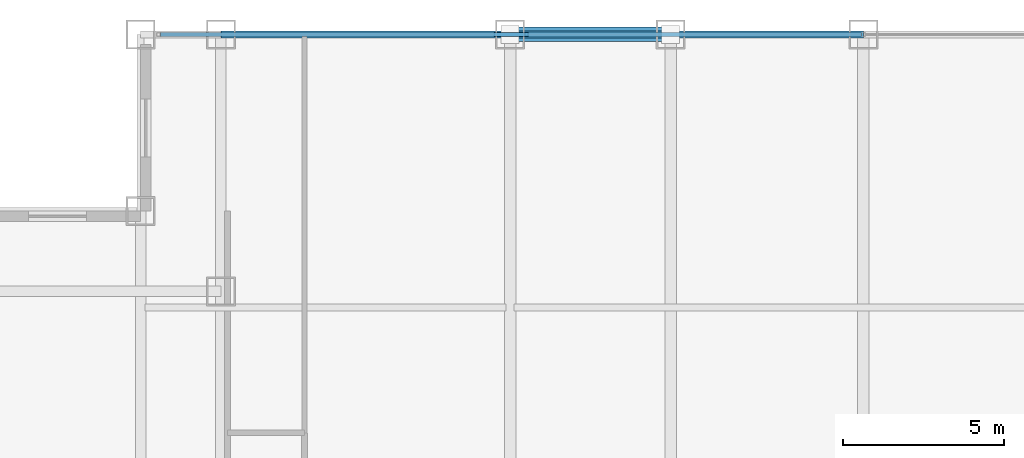
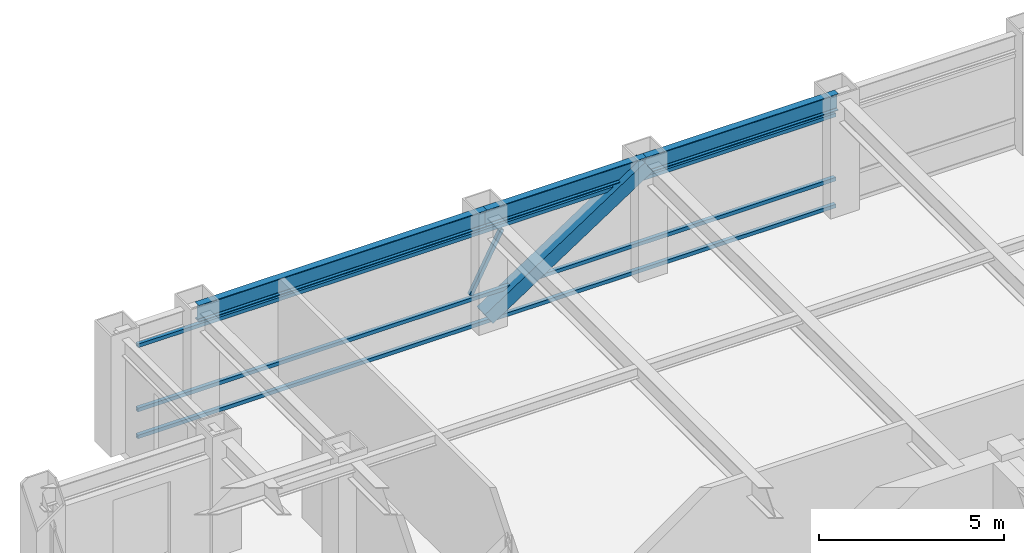
# One storey, part 13 of 22: 5 members, 3 beams, 1 element without a shape of its own.
"""IFC4 building model written with IfcOpenShell, lengths in metres."""

from ifc_helpers import new_model, si_unit, direction, frame, origin, origin_2d, place, context, subcontext, project, spatial, hollow_rectangle, i_section, extrude, source, transform, mapped, material, material_profile, profile_set, type_object, element, aggregate, save


model = new_model("IFC4")

# Units and contexts
model_context = context("Model", 3, precision=1e-05, world=origin(), true_north=direction((0.0, 1.0)))
body_context = subcontext(model_context, "Body", "Model", "MODEL_VIEW")
ifc_project = project(units=[si_unit("LENGTHUNIT", "METRE"), si_unit("AREAUNIT", "SQUARE_METRE"), si_unit("VOLUMEUNIT", "CUBIC_METRE"), si_unit("PLANEANGLEUNIT", "RADIAN"), si_unit("MASSUNIT", "GRAM", prefix="KILO")], contexts=[model_context])

# Site, building, storey
site_placement = place(None, origin())
site = spatial("IfcSite", under=ifc_project, at=site_placement, CompositionType="ELEMENT")
building_placement = place(site_placement, origin())
building = spatial("IfcBuilding", under=site, at=building_placement, Name="Khorayat Bourse Tower", CompositionType="ELEMENT")
storey_placement = place(building_placement, frame((0.0, 0.0, 297.5)))
storey = spatial("IfcBuildingStorey", under=building, at=storey_placement, Name="L70", CompositionType="ELEMENT", Elevation=297.5)

# Member
ifc_material_1 = material(Name="Steel EN 10025-4 S460M", Category="steel")
ifc_material_profile_1 = material_profile(ifc_material_1, hollow_rectangle(XDim=0.449951171875, YDim=0.449951171875, WallThickness=0.02490234375, at=origin_2d()), Name="HSS 450x450x25")
ifc_profile_set_1 = profile_set([ifc_material_profile_1], Name="Steel EN 10025-4 S460M")
member_type_1 = type_object("IfcMemberType", Name="MBR-TUBE-450", PredefinedType="BRACE", material=ifc_profile_set_1)
shared_shape_1 = source(origin(), body_context, "Body", "SweptSolid", [
    extrude(hollow_rectangle(XDim=0.449951171875, YDim=0.449951171875, WallThickness=0.02490234375, at=origin_2d()), origin(), (0.0, 0.0, 1.0), 5.979736328125),
])
member_1_placement = place(storey_placement, frame((-11.0, 28.0, 0.25), z_axis=(0.836141536525, 0.0, 0.548513747227), x_axis=(0.0, 1.0, 0.0)))
element("IfcMember", 1, at=member_1_placement, inside=storey, type_object=member_type_1, Name="L70 Perimeter Tube Brace 03", PredefinedType="BRACE", context=body_context, shape_type="MappedRepresentation", body=[
    mapped(shared_shape_1, transform((0.0, 0.0, 0.0), scale=1.0)),
])

# Beams
ifc_material_2 = material(Name="Steel ASTM A992 Grade 50", Category="steel")
ifc_material_profile_2 = material_profile(ifc_material_2, i_section(OverallWidth=0.214111328125, OverallDepth=0.549072265625, WebThickness=0.0146484375, FlangeThickness=0.023681640625, FilletRadius=0.013916015625, at=origin_2d()), Name="W530X138")
ifc_profile_set_2 = profile_set([ifc_material_profile_2], Name="Steel ASTM A992 Grade 50")
beam_type = type_object("IfcBeamType", Name="BM-SPAN-530", PredefinedType="SPANDREL", material=ifc_profile_set_2)
shared_shape_2 = source(origin(), body_context, "Body", "SweptSolid", [
    extrude(i_section(OverallWidth=0.214111328125, OverallDepth=0.549072265625, WebThickness=0.0146484375, FlangeThickness=0.023681640625, FilletRadius=0.013916015625, at=origin_2d()), origin(), (0.0, 0.0, 1.0), 9.0),
])
beam_1_placement = place(storey_placement, frame((-20.0, 28.0, 3.505615234375), z_axis=(1.0, 0.0, 0.0), x_axis=(0.0, 1.0, 0.0)))
element("IfcBeam", 2, at=beam_1_placement, inside=storey, type_object=beam_type, Name="L70 BM-SPAN-530 BM-L70-SPN-050", PredefinedType="SPANDREL", context=body_context, shape_type="MappedRepresentation", body=[
    mapped(shared_shape_2, transform((0.0, 0.0, 0.0), scale=1.0)),
])
shared_shape_3 = source(origin(), body_context, "Body", "SweptSolid", [
    extrude(i_section(OverallWidth=0.214111328125, OverallDepth=0.549072265625, WebThickness=0.0146484375, FlangeThickness=0.023681640625, FilletRadius=0.013916015625, at=origin_2d()), origin(), (0.0, 0.0, 1.0), 5.0),
])
beam_2_placement = place(storey_placement, frame((-11.0, 28.0, 3.505615234375), z_axis=(1.0, 0.0, 0.0), x_axis=(0.0, 1.0, 0.0)))
element("IfcBeam", 3, at=beam_2_placement, inside=storey, type_object=beam_type, Name="L70 BM-SPAN-530 BM-L70-SPN-049", PredefinedType="SPANDREL", context=body_context, shape_type="MappedRepresentation", body=[
    mapped(shared_shape_3, transform((0.0, 0.0, 0.0), scale=1.0)),
])
shared_shape_4 = source(origin(), body_context, "Body", "SweptSolid", [
    extrude(i_section(OverallWidth=0.214111328125, OverallDepth=0.549072265625, WebThickness=0.0146484375, FlangeThickness=0.023681640625, FilletRadius=0.013916015625, at=origin_2d()), origin(), (0.0, 0.0, 1.0), 6.0),
])
beam_3_placement = place(storey_placement, frame((-6.0, 28.0, 3.505615234375), z_axis=(1.0, 0.0, 0.0), x_axis=(0.0, 1.0, 0.0)))
element("IfcBeam", 4, at=beam_3_placement, inside=storey, type_object=beam_type, Name="L70 BM-SPAN-530 BM-L70-SPN-048", PredefinedType="SPANDREL", context=body_context, shape_type="MappedRepresentation", body=[
    mapped(shared_shape_4, transform((0.0, 0.0, 0.0), scale=1.0)),
])

# Curtain wall, members
ifc_material_3 = material(Name="Aluminium EN AW-6063 T6", Category="aluminium")
curtain_wall_type = type_object("IfcCurtainWallType", Name="CW-SYS-04", PredefinedType="NOTDEFINED", material=ifc_material_3)
curtain_wall_placement = place(storey_placement, origin())
curtain_wall = element("IfcCurtainWall", 5, at=curtain_wall_placement, inside=storey, type_object=curtain_wall_type, Name="L70 Curtain Wall CW-L70-N1", PredefinedType="NOTDEFINED")
ifc_material_profile_3 = material_profile(ifc_material_3, hollow_rectangle(XDim=0.1201171875, YDim=0.1201171875, WallThickness=0.0048828125, at=origin_2d()), Name="ALU 120x120x5")
ifc_profile_set_3 = profile_set([ifc_material_profile_3], Name="Aluminium EN AW-6063 T6")
member_type_2 = type_object("IfcMemberType", Name="CWM-DIAG-120", PredefinedType="MULLION", material=ifc_profile_set_3)
shared_shape_5 = source(origin(), body_context, "Body", "SweptSolid", [
    extrude(hollow_rectangle(XDim=0.1201171875, YDim=0.1201171875, WallThickness=0.0048828125, at=origin_2d()), origin(), (0.0, 0.0, 1.0), 2.0791015625),
])
member_2_placement = place(storey_placement, frame((-11.4541015625, 28.0, 1.090087890625), z_axis=(0.465717394116, 0.0, 0.884933505309), x_axis=(0.0, 1.0, 0.0)))
member_2 = element("IfcMember", 6, at=member_2_placement, type_object=member_type_2, Name="CW-L70-N1 Faceted Diagonal Mullion 1", PredefinedType="MULLION", context=body_context, shape_type="MappedRepresentation", body=[
    mapped(shared_shape_5, transform((0.0, 0.0, 0.0), scale=1.0)),
])
ifc_material_profile_4 = material_profile(ifc_material_3, hollow_rectangle(XDim=0.1201171875, YDim=0.1201171875, WallThickness=0.0048828125, at=origin_2d()), Name="ALU 120x120x5")
ifc_profile_set_4 = profile_set([ifc_material_profile_4], Name="Aluminium EN AW-6063 T6")
member_type_3 = type_object("IfcMemberType", Name="CWT-HORZ-120", PredefinedType="USERDEFINED", material=ifc_profile_set_4)
shared_shape_6 = source(origin(), body_context, "Body", "SweptSolid", [
    extrude(hollow_rectangle(XDim=0.1201171875, YDim=0.1201171875, WallThickness=0.0048828125, at=origin_2d()), origin(), (0.0, 0.0, 1.0), 21.81982421875),
])
member_3_placement = place(storey_placement, frame((-21.8798828125, 28.0, 0.06005859375), z_axis=(1.0, 0.0, 0.0), x_axis=(0.0, 1.0, 0.0)))
member_3 = element("IfcMember", 7, at=member_3_placement, type_object=member_type_3, Name="CW-L70-N1 Horizontal Transom 1-1", ObjectType="TRANSOM", PredefinedType="USERDEFINED", context=body_context, shape_type="MappedRepresentation", body=[
    mapped(shared_shape_6, transform((0.0, 0.0, 0.0), scale=1.0)),
])
member_4_placement = place(storey_placement, frame((-21.8798828125, 28.0, 0.949951171875), z_axis=(1.0, 0.0, 0.0), x_axis=(0.0, 1.0, 0.0)))
member_4 = element("IfcMember", 8, at=member_4_placement, type_object=member_type_3, Name="CW-L70-N1 Horizontal Transom 1-2", ObjectType="TRANSOM", PredefinedType="USERDEFINED", context=body_context, shape_type="MappedRepresentation", body=[
    mapped(shared_shape_6, transform((0.0, 0.0, 0.0), scale=1.0)),
])
member_5_placement = place(storey_placement, frame((-21.8798828125, 28.0, 3.070068359375), z_axis=(1.0, 0.0, 0.0), x_axis=(0.0, 1.0, 0.0)))
member_5 = element("IfcMember", 9, at=member_5_placement, type_object=member_type_3, Name="CW-L70-N1 Horizontal Transom 1-3", ObjectType="TRANSOM", PredefinedType="USERDEFINED", context=body_context, shape_type="MappedRepresentation", body=[
    mapped(shared_shape_6, transform((0.0, 0.0, 0.0), scale=1.0)),
])
aggregate(curtain_wall, [member_3, member_4, member_5, member_2])

save(model, "model.ifc")
